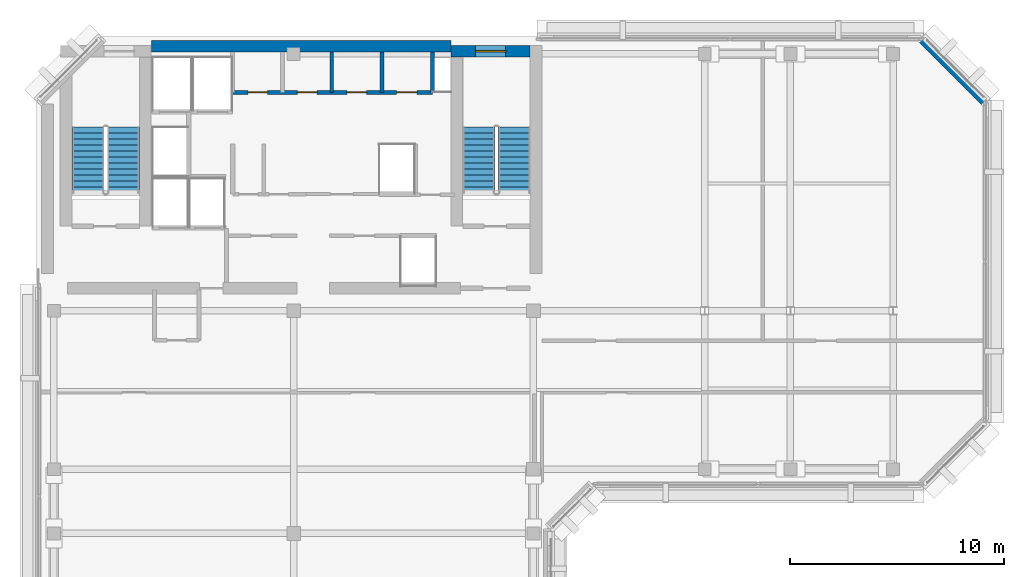
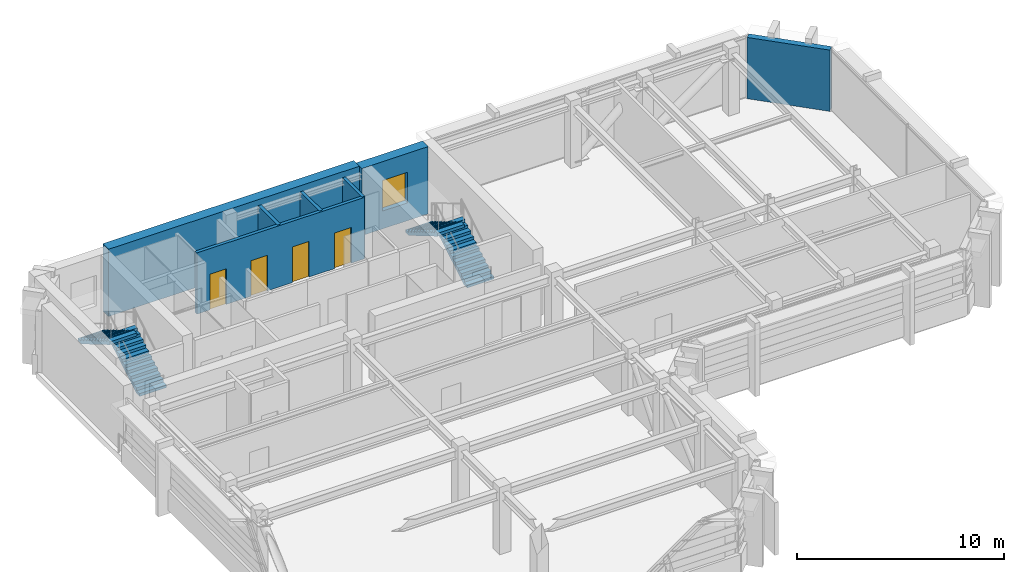
# One storey, part 6 of 9: 7 walls, 4 doors, 4 stair flights, 1 window, 5 openings, 2 elements without a shape of their own.
"""IFC4 building model written with IfcOpenShell, lengths in metres."""

from ifc_helpers import new_model, si_unit, direction, frame, frame_2d, origin, place, context, subcontext, project, spatial, polyline, rectangle, outline, extrude, material, layer, layer_set, type_object, element, fill, aggregate, save


model = new_model("IFC4")

# Units and contexts
model_context = context("Model", 3, precision=1e-05, world=origin(), true_north=direction((0.0, 1.0)))
body_context = subcontext(model_context, "Body", "Model", "MODEL_VIEW")
ifc_project = project(units=[si_unit("LENGTHUNIT", "METRE"), si_unit("AREAUNIT", "SQUARE_METRE"), si_unit("VOLUMEUNIT", "CUBIC_METRE"), si_unit("PLANEANGLEUNIT", "RADIAN"), si_unit("MASSUNIT", "GRAM", prefix="KILO")], contexts=[model_context])

# Site, building, storey
site_placement = place(None, origin())
site = spatial("IfcSite", under=ifc_project, at=site_placement, CompositionType="ELEMENT")
building_placement = place(site_placement, origin())
building = spatial("IfcBuilding", under=site, at=building_placement, Name="Kefirva Bronze Tower", CompositionType="ELEMENT")
storey_placement = place(building_placement, frame((0.0, 0.0, 365.969970703125)))
storey = spatial("IfcBuildingStorey", under=building, at=storey_placement, Name="L89", CompositionType="ELEMENT", Elevation=365.969970703125)

# Walls
ifc_material_1 = material(Name="Precast concrete C40/50", Category="concrete")
ifc_layer_1 = layer(ifc_material_1, 0.320068359375, Name="Precast concrete C40/50")
ifc_layer_set_1 = layer_set([ifc_layer_1], Name="Precast concrete C40/50")
wall_type_1 = type_object("IfcWallType", Name="Precast Insulated Exterior Wall 320mm", PredefinedType="SOLIDWALL", material=ifc_layer_set_1)
wall_1_placement = place(storey_placement, frame((44.248046875, 42.92578125, 0.0), z_axis=(0.0, 0.0, 1.0), x_axis=(-0.707136318428, 0.707077242712, 0.0)))
element("IfcWall", 1, at=wall_1_placement, inside=storey, type_object=wall_type_1, Name="L89 Exterior Facade Wall 5", PredefinedType="SOLIDWALL", context=body_context, shape_type="SweptSolid", body=[
    extrude(rectangle(XDim=4.132568359375, YDim=0.320068359375, at=frame_2d((2.06640625, 0.0))), origin(), (0.0, 0.0, 1.0), 3.610107421875),
])
ifc_material_2 = material(Name="Concrete C50/60", Category="concrete")
ifc_layer_2 = layer(ifc_material_2, 0.550048828125, Name="Concrete C50/60")
ifc_layer_set_2 = layer_set([ifc_layer_2], Name="Concrete C50/60")
wall_type_2 = type_object("IfcWallType", Name="RC Rear Core Exterior Wall 550mm", PredefinedType="SHEAR", material=ifc_layer_set_2)
wall_2_placement = place(storey_placement, frame((5.360107421875, 45.550048828125, 0.0), z_axis=(0.0, 0.0, 1.0), x_axis=(1.0, 0.0, 0.0)))
element("IfcWall", 2, at=wall_2_placement, inside=storey, type_object=wall_type_2, Name="L89 Rear Core North Shear Wall", PredefinedType="SHEAR", context=body_context, shape_type="SweptSolid", body=[
    extrude(rectangle(XDim=13.97998046875, YDim=0.550048828125, at=frame_2d((6.989990234375, 0.0))), origin(), (0.0, 0.0, 1.0), 3.9599609375),
])

# Wall, opening, window
wall_3_placement = place(storey_placement, frame((19.35009765625, 45.320068359375, 0.0), z_axis=(0.0, 0.0, 1.0), x_axis=(1.0, 0.0, 0.0)))
wall_3 = element("IfcWall", 3, at=wall_3_placement, inside=storey, type_object=wall_type_2, Name="L89 Stair 2 North Shear Wall", PredefinedType="SHEAR", context=body_context, shape_type="SweptSolid", body=[
    extrude(rectangle(XDim=3.68994140625, YDim=0.550048828125, at=frame_2d((1.844970703125, 0.0))), origin(), (0.0, 0.0, 1.0), 3.9599609375),
])
opening_1_placement = place(wall_3_placement, frame((1.14990234375, 0.0, 1.050048828125)))
opening_1 = element("IfcOpeningElement", 4, at=opening_1_placement, cuts=wall_3, Name="Opening WN-03", PredefinedType="OPENING", context=body_context, shape_type="SweptSolid", body=[
    extrude(rectangle(XDim=1.39990234375, YDim=1.800048828125, at=frame_2d((0.699951171875, 0.89990234375))), frame((0.0, 0.28515625, 0.0), z_axis=(0.0, -1.0, 0.0), x_axis=(1.0, 0.0, 0.0)), (0.0, 0.0, 1.0), 0.570068359375),
])
ifc_material_3 = material(Name="Laminated low-E double glazing", Category="glass")
window_type = type_object("IfcWindowType", Name="Rear-Core Stair Daylight Window 1400x1800", PartitioningType="SINGLE_PANEL", PredefinedType="WINDOW", material=ifc_material_3)
window_placement = place(opening_1_placement, origin())
window = element("IfcWindow", 5, at=window_placement, inside=storey, type_object=window_type, Name="L89 Stair 2 Daylight Window", OverallHeight=1.800048828125, OverallWidth=1.39990234375, PartitioningType="SINGLE_PANEL", PredefinedType="WINDOW", context=body_context, shape_type="SweptSolid", body=[
    extrude(rectangle(XDim=1.39990234375, YDim=1.800048828125, at=frame_2d((0.699951171875, 0.89990234375))), frame((0.0, 0.030029296875, 0.0), z_axis=(0.0, -1.0, 0.0), x_axis=(1.0, 0.0, 0.0)), (0.0, 0.0, 1.0), 0.06005859375),
])
fill(opening_1, window)

# Wall, openings, doors
ifc_material_4 = material(Name="Moisture-resistant partition")
ifc_layer_3 = layer(ifc_material_4, 0.179931640625, Name="Moisture-resistant partition")
ifc_layer_set_3 = layer_set([ifc_layer_3], Name="Moisture-resistant partition")
wall_type_3 = type_object("IfcWallType", Name="Sanitary Plumbing Chase Wall 180mm", PredefinedType="PLUMBINGWALL", material=ifc_layer_set_3)
wall_4_placement = place(storey_placement, frame((9.14990234375, 43.39990234375, 0.0), z_axis=(0.0, 0.0, 1.0), x_axis=(1.0, 0.0, 0.0)))
wall_4 = element("IfcWall", 6, at=wall_4_placement, inside=storey, type_object=wall_type_3, Name="L89 Partition W-L89-SVCS", PredefinedType="PLUMBINGWALL", context=body_context, shape_type="SweptSolid", body=[
    extrude(rectangle(XDim=9.330078125, YDim=0.179931640625, at=frame_2d((4.6650390625, 0.0))), origin(), (0.0, 0.0, 1.0), 3.610107421875),
])
opening_2_placement = place(wall_4_placement, frame((0.719970703125, 0.0, 0.0)))
opening_2 = element("IfcOpeningElement", 7, at=opening_2_placement, cuts=wall_4, Name="Opening L89-D-CSVC1", PredefinedType="OPENING", context=body_context, shape_type="SweptSolid", body=[
    extrude(rectangle(XDim=0.919921875, YDim=2.10009765625, at=frame_2d((0.4599609375, 1.050048828125))), frame((0.0, 0.10009765625, 0.0), z_axis=(0.0, -1.0, 0.0), x_axis=(1.0, 0.0, 0.0)), (0.0, 0.0, 1.0), 0.199951171875),
])
opening_3_placement = place(wall_4_placement, frame((3.02001953125, 0.0, 0.0)))
opening_3 = element("IfcOpeningElement", 8, at=opening_3_placement, cuts=wall_4, Name="Opening L89-D-CSVC2", PredefinedType="OPENING", context=body_context, shape_type="SweptSolid", body=[
    extrude(rectangle(XDim=0.919921875, YDim=2.10009765625, at=frame_2d((0.4599609375, 1.050048828125))), frame((0.0, 0.10009765625, 0.0), z_axis=(0.0, -1.0, 0.0), x_axis=(1.0, 0.0, 0.0)), (0.0, 0.0, 1.0), 0.199951171875),
])
opening_4_placement = place(wall_4_placement, frame((5.340087890625, 0.0, 0.0)))
opening_4 = element("IfcOpeningElement", 9, at=opening_4_placement, cuts=wall_4, Name="Opening L89-D-CSVC3", PredefinedType="OPENING", context=body_context, shape_type="SweptSolid", body=[
    extrude(rectangle(XDim=0.919921875, YDim=2.10009765625, at=frame_2d((0.4599609375, 1.050048828125))), frame((0.0, 0.10009765625, 0.0), z_axis=(0.0, -1.0, 0.0), x_axis=(1.0, 0.0, 0.0)), (0.0, 0.0, 1.0), 0.199951171875),
])
opening_5_placement = place(wall_4_placement, frame((7.659912109375, 0.0, 0.0)))
opening_5 = element("IfcOpeningElement", 10, at=opening_5_placement, cuts=wall_4, Name="Opening L89-D-CSVC4", PredefinedType="OPENING", context=body_context, shape_type="SweptSolid", body=[
    extrude(rectangle(XDim=0.949951171875, YDim=2.10009765625, at=frame_2d((0.47509765625, 1.050048828125))), frame((0.0, 0.10009765625, 0.0), z_axis=(0.0, -1.0, 0.0), x_axis=(1.0, 0.0, 0.0)), (0.0, 0.0, 1.0), 0.199951171875),
])
ifc_material_5 = material(Name="Moisture-resistant timber", Category="wood")
door_type_1 = type_object("IfcDoorType", Name="Accessible Sanitary & WC Door 920x2100", OperationType="NOTDEFINED", PredefinedType="DOOR", material=ifc_material_5)
door_1_placement = place(opening_2_placement, origin())
door_1 = element("IfcDoor", 11, at=door_1_placement, inside=storey, type_object=door_type_1, Name="Door L89-D-CSVC1", OperationType="SINGLE_SWING_RIGHT", OverallHeight=2.10009765625, OverallWidth=0.919921875, PredefinedType="DOOR", context=body_context, shape_type="SweptSolid", body=[
    extrude(rectangle(XDim=0.919921875, YDim=2.10009765625, at=frame_2d((0.4599609375, 1.050048828125))), frame((0.0, 0.02490234375, 0.0), z_axis=(0.0, -1.0, 0.0), x_axis=(1.0, 0.0, 0.0)), (0.0, 0.0, 1.0), 0.050048828125),
])
fill(opening_2, door_1)
door_2_placement = place(opening_3_placement, origin())
door_2 = element("IfcDoor", 12, at=door_2_placement, inside=storey, type_object=door_type_1, Name="Door L89-D-CSVC2", OperationType="SINGLE_SWING_LEFT", OverallHeight=2.10009765625, OverallWidth=0.919921875, PredefinedType="DOOR", context=body_context, shape_type="SweptSolid", body=[
    extrude(rectangle(XDim=0.919921875, YDim=2.10009765625, at=frame_2d((0.4599609375, 1.050048828125))), frame((0.0, 0.02490234375, 0.0), z_axis=(0.0, -1.0, 0.0), x_axis=(1.0, 0.0, 0.0)), (0.0, 0.0, 1.0), 0.050048828125),
])
fill(opening_3, door_2)
door_3_placement = place(opening_4_placement, origin())
door_3 = element("IfcDoor", 13, at=door_3_placement, inside=storey, type_object=door_type_1, Name="Door L89-D-CSVC3", OperationType="SINGLE_SWING_RIGHT", OverallHeight=2.10009765625, OverallWidth=0.919921875, PredefinedType="DOOR", context=body_context, shape_type="SweptSolid", body=[
    extrude(rectangle(XDim=0.919921875, YDim=2.10009765625, at=frame_2d((0.4599609375, 1.050048828125))), frame((0.0, 0.02490234375, 0.0), z_axis=(0.0, -1.0, 0.0), x_axis=(1.0, 0.0, 0.0)), (0.0, 0.0, 1.0), 0.050048828125),
])
fill(opening_4, door_3)
ifc_material_6 = material(Name="Painted galvanized steel", Category="steel")
door_type_2 = type_object("IfcDoorType", Name="Riser & Plant Shaft Fire Door 950x2100 FD60S", OperationType="NOTDEFINED", PredefinedType="DOOR", material=ifc_material_6)
door_4_placement = place(opening_5_placement, origin())
door_4 = element("IfcDoor", 14, at=door_4_placement, inside=storey, type_object=door_type_2, Name="Door L89-D-CSVC4", OperationType="SINGLE_SWING_LEFT", OverallHeight=2.10009765625, OverallWidth=0.949951171875, PredefinedType="DOOR", context=body_context, shape_type="SweptSolid", body=[
    extrude(rectangle(XDim=0.949951171875, YDim=2.10009765625, at=frame_2d((0.47509765625, 1.050048828125))), frame((0.0, 0.02490234375, 0.0), z_axis=(0.0, -1.0, 0.0), x_axis=(1.0, 0.0, 0.0)), (0.0, 0.0, 1.0), 0.050048828125),
])
fill(opening_5, door_4)

# Walls
for number, where, z_axis, x_axis, name in (
    (15, (18.47998046875, 43.39990234375, 0.0), (0.0, 0.0, 1.0), (0.0, 1.0, 0.0), "L89 Partition W-L89-SVCE"),
    (16, (13.780029296875, 43.39990234375, 0.0), (0.0, 0.0, 1.0), (0.0, 1.0, 0.0), "L89 Partition W-L89-CSVD-2"),
    (17, (16.1201171875, 43.39990234375, 0.0), (0.0, 0.0, 1.0), (0.0, 1.0, 0.0), "L89 Partition W-L89-CSVD-3"),
):
    element("IfcWall", number, at=place(storey_placement, frame(where, z_axis=z_axis, x_axis=x_axis)), inside=storey, type_object=wall_type_3, Name=name, PredefinedType="PLUMBINGWALL", context=body_context, shape_type="SweptSolid", body=[
        extrude(rectangle(XDim=1.880126953125, YDim=0.179931640625, at=frame_2d((0.93994140625, 0.0))), origin(), (0.0, 0.0, 1.0), 3.610107421875),
    ])

# Stair, stair flights
ifc_material_7 = material(Name="Concrete C40/50", Category="concrete")
stair_type = type_object("IfcStairType", Name="RC Dogleg Protected Stair 24R", PredefinedType="HALF_TURN_STAIR", material=ifc_material_7)
stair_1_placement = place(storey_placement, origin())
stair_1 = element("IfcStair", 18, at=stair_1_placement, inside=storey, type_object=stair_type, Name="L89 Protected Exit Stair 1", PredefinedType="HALF_TURN_STAIR")
stair_flight_type = type_object("IfcStairFlightType", Name="RC Straight Stair Flight 24R", PredefinedType="STRAIGHT", material=ifc_material_7)
stair_flight_1_placement = place(storey_placement, frame((4.050048828125, 38.699951171875, 0.0), z_axis=(0.0, 0.0, 1.0), x_axis=(0.0, 1.0, 0.0)))
stair_flight_1 = element("IfcStairFlight", 19, at=stair_flight_1_placement, type_object=stair_flight_type, Name="ST-1 flight 1", NumberOfRisers=12, NumberOfTreads=11, PredefinedType="STRAIGHT", RiserHeight=0.165, TreadLength=0.28, context=body_context, shape_type="SweptSolid", body=[
    extrude(outline(polyline([(0.0, 0.0), (0.0, 0.1650390625), (0.280029296875, 0.1650390625), (0.280029296875, 0.330078125), (0.56005859375, 0.330078125), (0.56005859375, 0.4951171875), (0.840087890625, 0.4951171875), (0.840087890625, 0.659912109375), (1.1201171875, 0.659912109375), (1.1201171875, 0.824951171875), (1.39990234375, 0.824951171875), (1.39990234375, 0.989990234375), (1.679931640625, 0.989990234375), (1.679931640625, 1.155029296875), (1.9599609375, 1.155029296875), (1.9599609375, 1.320068359375), (2.239990234375, 1.320068359375), (2.239990234375, 1.485107421875), (2.52001953125, 1.485107421875), (2.52001953125, 1.64990234375), (2.800048828125, 1.64990234375), (2.800048828125, 1.81494140625), (3.080078125, 1.81494140625), (3.080078125, 1.97998046875), (3.080078125, 1.64111328125), (0.295166015625, 0.0), (0.0, 0.0)])), frame((0.0, 0.75, 0.0), z_axis=(0.0, -1.0, 0.0), x_axis=(1.0, 0.0, 0.0)), (0.0, 0.0, 1.0), 1.5),
])
stair_flight_2_placement = place(storey_placement, frame((2.39990234375, 41.780029296875, 1.97998046875), z_axis=(0.0, 0.0, 1.0), x_axis=(0.0, -1.0, 0.0)))
stair_flight_2 = element("IfcStairFlight", 20, at=stair_flight_2_placement, type_object=stair_flight_type, Name="ST-1 flight 2", NumberOfRisers=12, NumberOfTreads=11, PredefinedType="STRAIGHT", RiserHeight=0.165, TreadLength=0.28, context=body_context, shape_type="SweptSolid", body=[
    extrude(outline(polyline([(0.0, 0.0), (0.0, 0.1650390625), (0.280029296875, 0.1650390625), (0.280029296875, 0.330078125), (0.56005859375, 0.330078125), (0.56005859375, 0.4951171875), (0.840087890625, 0.4951171875), (0.840087890625, 0.659912109375), (1.1201171875, 0.659912109375), (1.1201171875, 0.824951171875), (1.39990234375, 0.824951171875), (1.39990234375, 0.989990234375), (1.679931640625, 0.989990234375), (1.679931640625, 1.155029296875), (1.9599609375, 1.155029296875), (1.9599609375, 1.320068359375), (2.239990234375, 1.320068359375), (2.239990234375, 1.485107421875), (2.52001953125, 1.485107421875), (2.52001953125, 1.64990234375), (2.800048828125, 1.64990234375), (2.800048828125, 1.81494140625), (3.080078125, 1.81494140625), (3.080078125, 1.97998046875), (3.080078125, 1.64111328125), (0.295166015625, 0.0), (0.0, 0.0)])), frame((0.0, 0.75, 0.0), z_axis=(0.0, -1.0, 0.0), x_axis=(1.0, 0.0, 0.0)), (0.0, 0.0, 1.0), 1.5),
])
aggregate(stair_1, [stair_flight_1, stair_flight_2])

stair_2_placement = place(storey_placement, origin())
stair_2 = element("IfcStair", 21, at=stair_2_placement, inside=storey, type_object=stair_type, Name="L89 Protected Exit Stair 2", PredefinedType="HALF_TURN_STAIR")
stair_flight_3_placement = place(storey_placement, frame((22.300048828125, 38.699951171875, 0.0), z_axis=(0.0, 0.0, 1.0), x_axis=(0.0, 1.0, 0.0)))
stair_flight_3 = element("IfcStairFlight", 22, at=stair_flight_3_placement, type_object=stair_flight_type, Name="ST-2 flight 1", NumberOfRisers=12, NumberOfTreads=11, PredefinedType="STRAIGHT", RiserHeight=0.165, TreadLength=0.28, context=body_context, shape_type="SweptSolid", body=[
    extrude(outline(polyline([(0.0, 0.0), (0.0, 0.1650390625), (0.280029296875, 0.1650390625), (0.280029296875, 0.330078125), (0.56005859375, 0.330078125), (0.56005859375, 0.4951171875), (0.840087890625, 0.4951171875), (0.840087890625, 0.659912109375), (1.1201171875, 0.659912109375), (1.1201171875, 0.824951171875), (1.39990234375, 0.824951171875), (1.39990234375, 0.989990234375), (1.679931640625, 0.989990234375), (1.679931640625, 1.155029296875), (1.9599609375, 1.155029296875), (1.9599609375, 1.320068359375), (2.239990234375, 1.320068359375), (2.239990234375, 1.485107421875), (2.52001953125, 1.485107421875), (2.52001953125, 1.64990234375), (2.800048828125, 1.64990234375), (2.800048828125, 1.81494140625), (3.080078125, 1.81494140625), (3.080078125, 1.97998046875), (3.080078125, 1.64111328125), (0.295166015625, 0.0), (0.0, 0.0)])), frame((0.0, 0.75, 0.0), z_axis=(0.0, -1.0, 0.0), x_axis=(1.0, 0.0, 0.0)), (0.0, 0.0, 1.0), 1.5),
])
stair_flight_4_placement = place(storey_placement, frame((20.64990234375, 41.780029296875, 1.97998046875), z_axis=(0.0, 0.0, 1.0), x_axis=(0.0, -1.0, 0.0)))
stair_flight_4 = element("IfcStairFlight", 23, at=stair_flight_4_placement, type_object=stair_flight_type, Name="ST-2 flight 2", NumberOfRisers=12, NumberOfTreads=11, PredefinedType="STRAIGHT", RiserHeight=0.165, TreadLength=0.28, context=body_context, shape_type="SweptSolid", body=[
    extrude(outline(polyline([(0.0, 0.0), (0.0, 0.1650390625), (0.280029296875, 0.1650390625), (0.280029296875, 0.330078125), (0.56005859375, 0.330078125), (0.56005859375, 0.4951171875), (0.840087890625, 0.4951171875), (0.840087890625, 0.659912109375), (1.1201171875, 0.659912109375), (1.1201171875, 0.824951171875), (1.39990234375, 0.824951171875), (1.39990234375, 0.989990234375), (1.679931640625, 0.989990234375), (1.679931640625, 1.155029296875), (1.9599609375, 1.155029296875), (1.9599609375, 1.320068359375), (2.239990234375, 1.320068359375), (2.239990234375, 1.485107421875), (2.52001953125, 1.485107421875), (2.52001953125, 1.64990234375), (2.800048828125, 1.64990234375), (2.800048828125, 1.81494140625), (3.080078125, 1.81494140625), (3.080078125, 1.97998046875), (3.080078125, 1.64111328125), (0.295166015625, 0.0), (0.0, 0.0)])), frame((0.0, 0.75, 0.0), z_axis=(0.0, -1.0, 0.0), x_axis=(1.0, 0.0, 0.0)), (0.0, 0.0, 1.0), 1.5),
])
aggregate(stair_2, [stair_flight_3, stair_flight_4])

save(model, "model.ifc")
